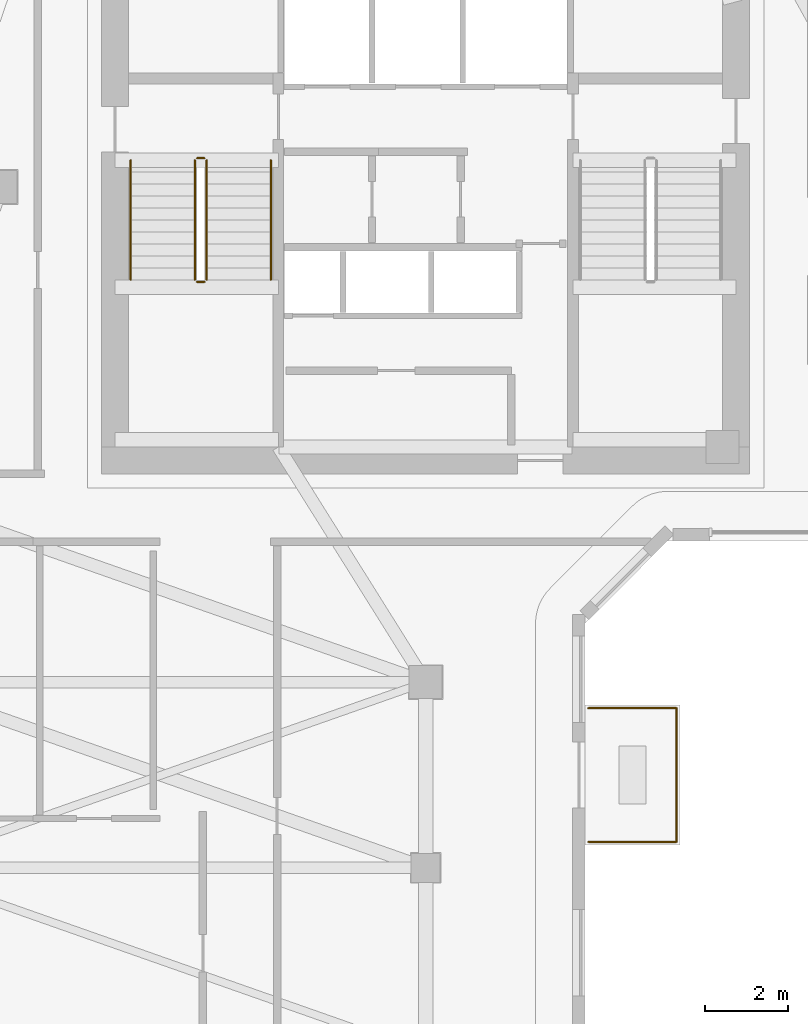
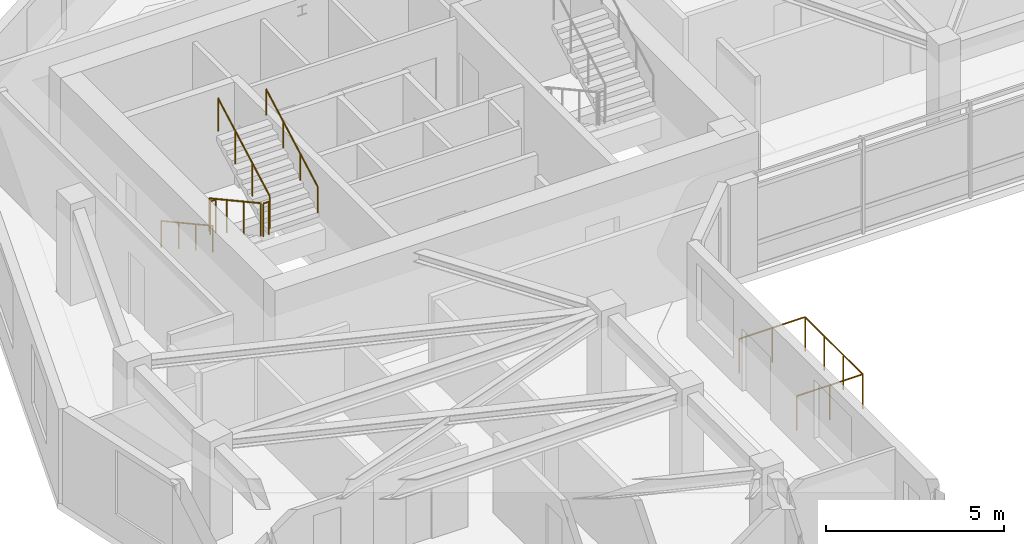
# One storey, part 8 of 10: 9 railings.
"""IFC4 building model written with IfcOpenShell, lengths in metres."""

from ifc_helpers import new_model, si_unit, direction, frame, origin, origin_2d, place, context, subcontext, project, spatial, circle, extrude, material, type_object, element, save


model = new_model("IFC4")

# Units and contexts
model_context = context("Model", 3, precision=1e-05, world=origin(), true_north=direction((0.0, 1.0)))
body_context = subcontext(model_context, "Body", "Model", "MODEL_VIEW")
ifc_project = project(units=[si_unit("LENGTHUNIT", "METRE"), si_unit("AREAUNIT", "SQUARE_METRE"), si_unit("VOLUMEUNIT", "CUBIC_METRE"), si_unit("PLANEANGLEUNIT", "RADIAN"), si_unit("MASSUNIT", "GRAM", prefix="KILO")], contexts=[model_context])

# Site, building, storey
site_placement = place(None, origin())
site = spatial("IfcSite", under=ifc_project, at=site_placement, CompositionType="ELEMENT")
building_placement = place(site_placement, origin())
building = spatial("IfcBuilding", under=site, at=building_placement, Name="Calvemar Wedge Station Tower", CompositionType="ELEMENT")
storey_placement = place(building_placement, frame((0.0, 0.0, 197.39990234375)))
storey = spatial("IfcBuildingStorey", under=building, at=storey_placement, Name="L49", CompositionType="ELEMENT", Elevation=197.39990234375)

# Railings
ifc_material_1 = material(Name="Stainless steel AISI 316L", Category="steel")
railing_type_1 = type_object("IfcRailingType", Name="GRD-TERR-1200", PredefinedType="GUARDRAIL", material=ifc_material_1)
railing_1_placement = place(storey_placement, frame((27.743896484375, 27.8701171875, 0.0)))
element("IfcRailing", 1, at=railing_1_placement, inside=storey, type_object=railing_type_1, Name="Storey L49 Spiral Terrace Guard 2", PredefinedType="GUARDRAIL", context=body_context, shape_type="SweptSolid", body=[
    extrude(circle(Radius=0.02392578125, at=origin_2d()), frame((0.0, 0.0, 1.17578125), z_axis=(1.0, 0.0, 0.0), x_axis=(0.0, 1.0, 0.0)), (0.0, 0.0, 1.0), 2.14013671875),
    extrude(circle(Radius=0.02099609375, at=origin_2d()), origin(), (0.0, 0.0, 1.0), 1.15185546875),
    extrude(circle(Radius=0.02099609375, at=origin_2d()), frame((1.070068359375, 0.0, 0.0)), (0.0, 0.0, 1.0), 1.15185546875),
    extrude(circle(Radius=0.02099609375, at=origin_2d()), frame((2.14013671875, 0.0, 0.0)), (0.0, 0.0, 1.0), 1.15185546875),
])
railing_2_placement = place(storey_placement, frame((29.884033203125, 27.8701171875, 0.0)))
element("IfcRailing", 2, at=railing_2_placement, inside=storey, type_object=railing_type_1, Name="Storey L49 Spiral Terrace Guard 3", PredefinedType="GUARDRAIL", context=body_context, shape_type="SweptSolid", body=[
    extrude(circle(Radius=0.02392578125, at=origin_2d()), frame((0.0, 0.0, 1.17578125), z_axis=(0.0, -1.0, 0.0), x_axis=(1.0, 0.0, 0.0)), (0.0, 0.0, 1.0), 3.240234375),
    extrude(circle(Radius=0.02099609375, at=origin_2d()), origin(), (0.0, 0.0, 1.0), 1.15185546875),
    extrude(circle(Radius=0.02099609375, at=origin_2d()), frame((0.0, -1.080078125, 0.0)), (0.0, 0.0, 1.0), 1.15185546875),
    extrude(circle(Radius=0.02099609375, at=origin_2d()), frame((0.0, -2.16015625, 0.0)), (0.0, 0.0, 1.0), 1.15185546875),
    extrude(circle(Radius=0.02099609375, at=origin_2d()), frame((0.0, -3.240234375, 0.0)), (0.0, 0.0, 1.0), 1.15185546875),
])
railing_3_placement = place(storey_placement, frame((29.884033203125, 24.6298828125, 0.0)))
element("IfcRailing", 3, at=railing_3_placement, inside=storey, type_object=railing_type_1, Name="Storey L49 Spiral Terrace Guard 4", PredefinedType="GUARDRAIL", context=body_context, shape_type="SweptSolid", body=[
    extrude(circle(Radius=0.02392578125, at=origin_2d()), frame((0.0, 0.0, 1.17578125), z_axis=(-1.0, 0.0, 0.0), x_axis=(0.0, -1.0, 0.0)), (0.0, 0.0, 1.0), 2.14013671875),
    extrude(circle(Radius=0.02099609375, at=origin_2d()), origin(), (0.0, 0.0, 1.0), 1.15185546875),
    extrude(circle(Radius=0.02099609375, at=origin_2d()), frame((-1.070068359375, 0.0, 0.0)), (0.0, 0.0, 1.0), 1.15185546875),
    extrude(circle(Radius=0.02099609375, at=origin_2d()), frame((-2.14013671875, 0.0, 0.0)), (0.0, 0.0, 1.0), 1.15185546875),
])
railing_type_2 = type_object("IfcRailingType", Name="RL-HANDRAIL-920", PredefinedType="HANDRAIL", material=ifc_material_1)
railing_4_placement = place(storey_placement, frame((16.64990234375, 41.14990234375, 0.1591796875)))
element("IfcRailing", 4, at=railing_4_placement, inside=storey, type_object=railing_type_2, Name="L49 ST-C1 stair handrail 1", PredefinedType="HANDRAIL", context=body_context, shape_type="SweptSolid", body=[
    extrude(circle(Radius=0.02392578125, at=origin_2d()), frame((0.0, 0.0, 0.89599609375), z_axis=(0.0, -0.876742130028, 0.480960744171), x_axis=(1.0, 0.0, 0.0)), (0.0, 0.0, 1.0), 3.3076171875),
    extrude(circle(Radius=0.02099609375, at=origin_2d()), origin(), (0.0, 0.0, 1.0), 0.871826171875),
    extrude(circle(Radius=0.02099609375, at=origin_2d()), frame((0.0, -0.966552734375, 0.5302734375)), (0.0, 0.0, 1.0), 0.871826171875),
    extrude(circle(Radius=0.02099609375, at=origin_2d()), frame((0.0, -1.933349609375, 1.060546875)), (0.0, 0.0, 1.0), 0.871826171875),
    extrude(circle(Radius=0.02099609375, at=origin_2d()), frame((0.0, -2.89990234375, 1.5908203125)), (0.0, 0.0, 1.0), 0.871826171875),
])
railing_5_placement = place(storey_placement, frame((20.050048828125, 38.25, 1.9091796875)))
element("IfcRailing", 5, at=railing_5_placement, inside=storey, type_object=railing_type_2, Name="L49 ST-C1 stair handrail 2", PredefinedType="HANDRAIL", context=body_context, shape_type="SweptSolid", body=[
    extrude(circle(Radius=0.02392578125, at=origin_2d()), frame((0.0, 0.0, 0.89599609375), z_axis=(0.0, 0.876742130028, 0.480960744171), x_axis=(-1.0, 0.0, 0.0)), (0.0, 0.0, 1.0), 3.3076171875),
    extrude(circle(Radius=0.02099609375, at=origin_2d()), origin(), (0.0, 0.0, 1.0), 0.871826171875),
    extrude(circle(Radius=0.02099609375, at=origin_2d()), frame((0.0, 0.966552734375, 0.5302734375)), (0.0, 0.0, 1.0), 0.871826171875),
    extrude(circle(Radius=0.02099609375, at=origin_2d()), frame((0.0, 1.933349609375, 1.060546875)), (0.0, 0.0, 1.0), 0.871826171875),
    extrude(circle(Radius=0.02099609375, at=origin_2d()), frame((0.0, 2.89990234375, 1.5908203125)), (0.0, 0.0, 1.0), 0.871826171875),
])
ifc_material_2 = material(Name="Painted steel guardrail ASTM A500 Grade C", Category="steel")
railing_type_3 = type_object("IfcRailingType", Name="RL-STAIR-GUARD-1150", PredefinedType="GUARDRAIL", material=ifc_material_2)
railing_6_placement = place(storey_placement, frame((18.2099609375, 41.14990234375, 0.1591796875)))
element("IfcRailing", 6, at=railing_6_placement, inside=storey, type_object=railing_type_3, Name="L49 ST-C1 stair guard 1", PredefinedType="GUARDRAIL", context=body_context, shape_type="SweptSolid", body=[
    extrude(circle(Radius=0.02392578125, at=origin_2d()), frame((0.0, 0.0, 1.1259765625), z_axis=(0.0, -0.876742130028, 0.480960744171), x_axis=(1.0, 0.0, 0.0)), (0.0, 0.0, 1.0), 3.3076171875),
    extrude(circle(Radius=0.02099609375, at=origin_2d()), origin(), (0.0, 0.0, 1.0), 1.101806640625),
    extrude(circle(Radius=0.02099609375, at=origin_2d()), frame((0.0, -0.966552734375, 0.5302734375)), (0.0, 0.0, 1.0), 1.101806640625),
    extrude(circle(Radius=0.02099609375, at=origin_2d()), frame((0.0, -1.933349609375, 1.060546875)), (0.0, 0.0, 1.0), 1.101806640625),
    extrude(circle(Radius=0.02099609375, at=origin_2d()), frame((0.0, -2.89990234375, 1.5908203125)), (0.0, 0.0, 1.0), 1.101806640625),
])
railing_7_placement = place(storey_placement, frame((18.260009765625, 38.199951171875, 1.75)))
element("IfcRailing", 7, at=railing_7_placement, inside=storey, type_object=railing_type_3, Name="L49 ST-C1 stair guard 2", PredefinedType="GUARDRAIL", context=body_context, shape_type="SweptSolid", body=[
    extrude(circle(Radius=0.02392578125, at=origin_2d()), frame((0.0, 0.0, 1.1259765625), z_axis=(1.0, 0.0, 0.0), x_axis=(0.0, 1.0, 0.0)), (0.0, 0.0, 1.0), 0.179931640625),
    extrude(circle(Radius=0.02099609375, at=origin_2d()), origin(), (0.0, 0.0, 1.0), 1.101806640625),
    extrude(circle(Radius=0.02099609375, at=origin_2d()), frame((0.179931640625, 0.0, 0.0)), (0.0, 0.0, 1.0), 1.101806640625),
])
railing_8_placement = place(storey_placement, frame((18.489990234375, 38.25, 1.9091796875)))
element("IfcRailing", 8, at=railing_8_placement, inside=storey, type_object=railing_type_3, Name="L49 ST-C1 stair guard 3", PredefinedType="GUARDRAIL", context=body_context, shape_type="SweptSolid", body=[
    extrude(circle(Radius=0.02392578125, at=origin_2d()), frame((0.0, 0.0, 1.1259765625), z_axis=(0.0, 0.876742130028, 0.480960744171), x_axis=(-1.0, 0.0, 0.0)), (0.0, 0.0, 1.0), 3.3076171875),
    extrude(circle(Radius=0.02099609375, at=origin_2d()), origin(), (0.0, 0.0, 1.0), 1.101806640625),
    extrude(circle(Radius=0.02099609375, at=origin_2d()), frame((0.0, 0.966552734375, 0.5302734375)), (0.0, 0.0, 1.0), 1.101806640625),
    extrude(circle(Radius=0.02099609375, at=origin_2d()), frame((0.0, 1.933349609375, 1.060546875)), (0.0, 0.0, 1.0), 1.101806640625),
    extrude(circle(Radius=0.02099609375, at=origin_2d()), frame((0.0, 2.89990234375, 1.5908203125)), (0.0, 0.0, 1.0), 1.101806640625),
])
railing_9_placement = place(storey_placement, frame((18.260009765625, 41.199951171875, 0.0)))
element("IfcRailing", 9, at=railing_9_placement, inside=storey, type_object=railing_type_3, Name="L49 ST-C1 stair guard 4", PredefinedType="GUARDRAIL", context=body_context, shape_type="SweptSolid", body=[
    extrude(circle(Radius=0.02392578125, at=origin_2d()), frame((0.0, 0.0, 1.1259765625), z_axis=(1.0, 0.0, 0.0), x_axis=(0.0, 1.0, 0.0)), (0.0, 0.0, 1.0), 0.179931640625),
    extrude(circle(Radius=0.02099609375, at=origin_2d()), origin(), (0.0, 0.0, 1.0), 1.101806640625),
    extrude(circle(Radius=0.02099609375, at=origin_2d()), frame((0.179931640625, 0.0, 0.0)), (0.0, 0.0, 1.0), 1.101806640625),
])

save(model, "model.ifc")
